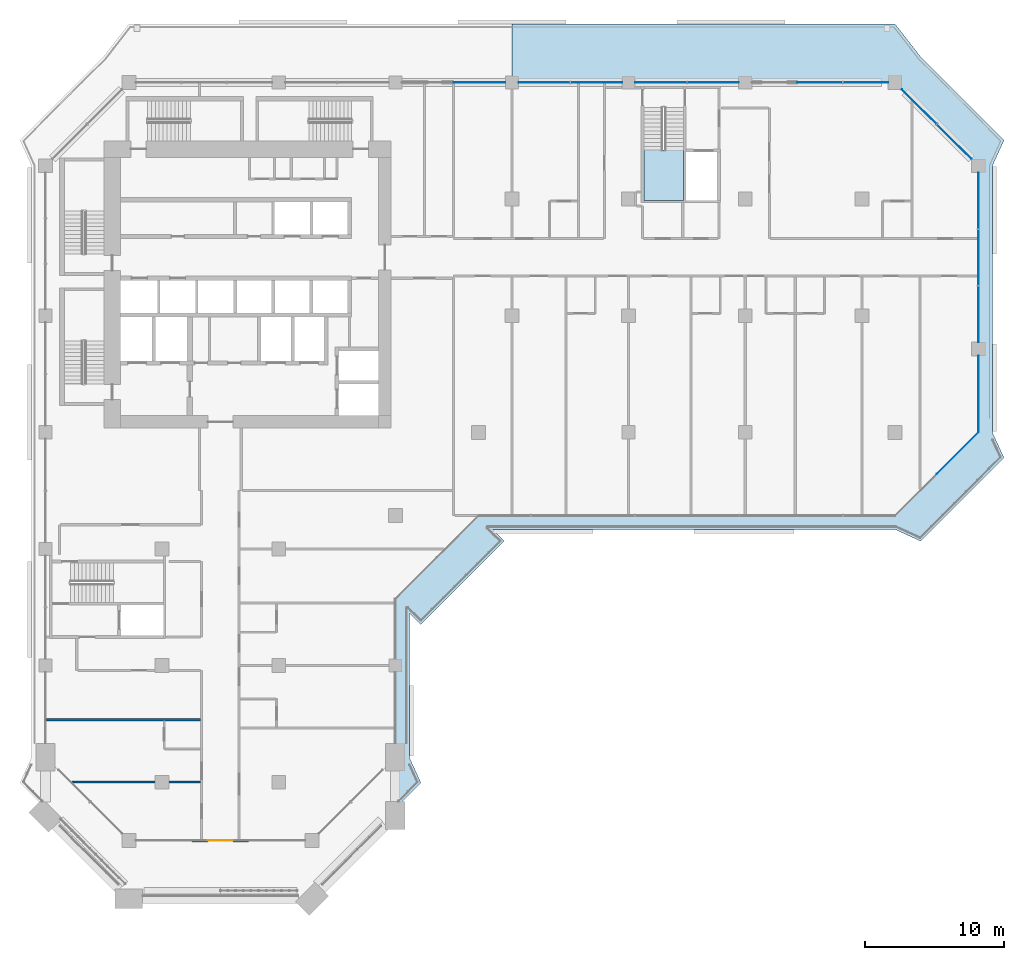
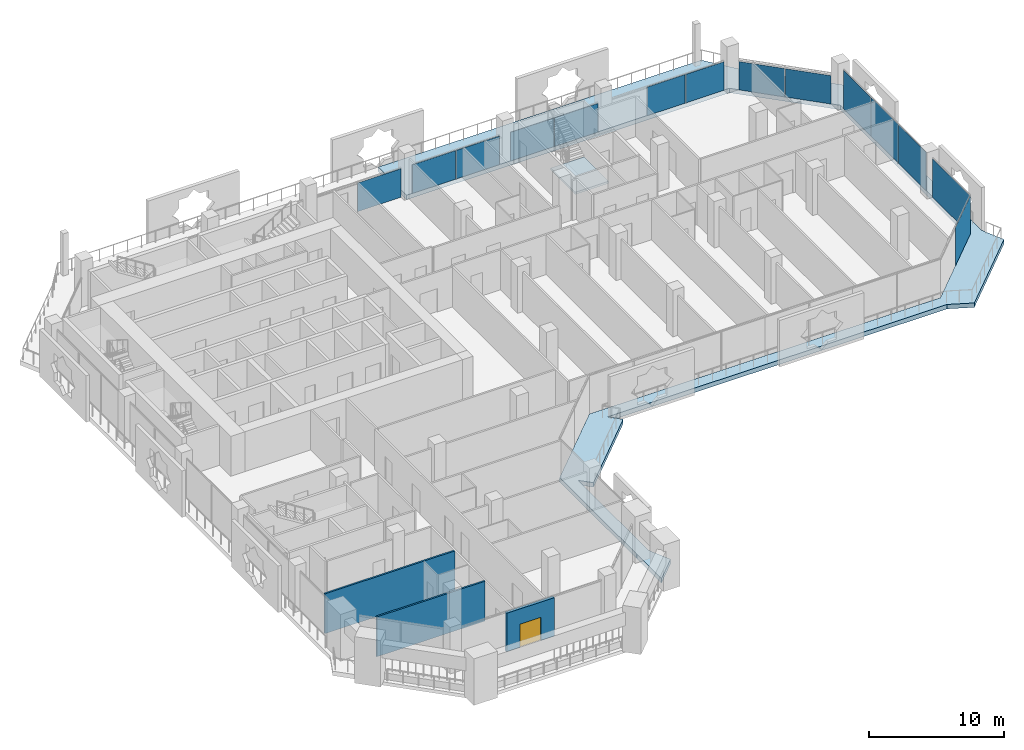
# One storey, part 9 of 22: 14 plates, 3 walls, 2 slabs, 1 door, 1 opening, 5 elements without a shape of their own.
"""IFC4 building model written with IfcOpenShell, lengths in metres."""

import ifcopenshell
import ifcopenshell.guid

model = None  # the IFC model being written
_history = None  # IfcOwnerHistory: only IFC2X3 demands one
_inside = {}  # id of a spatial element -> (the spatial element, [elements in it])
_under = {}  # id of a project, library or spatial element -> (it, [spatial elements below it])
_declared = {}  # id of a project -> (the project, [libraries it declares])
_typed = {}  # id of a type object -> (the type object, [elements of that type])
_made_of = {}  # id of a material, layer set ... -> (it, [elements and type objects made of it])


def new_model(schema):
    """Start an empty IFC model of exactly this schema.

    Asked for "IFC4X3", IfcOpenShell would pick the latest addendum, in which some entities
    have other attributes; the version numbers below select the first issue.
    IFC2X3 requires an IfcOwnerHistory on every rooted entity: one is made here for all.
    """
    global model, _history
    if schema == "IFC4X3":
        model = ifcopenshell.file(schema_version=(4, 3, 0, 0))
    else:
        model = ifcopenshell.file(schema=schema)
    _inside.clear()
    _under.clear()
    _declared.clear()
    _typed.clear()
    _made_of.clear()
    _history = None
    if model.schema == "IFC2X3":
        org = make("IfcOrganization", Name="unknown")
        user = make(
            "IfcPersonAndOrganization",
            ThePerson=make("IfcPerson", FamilyName="unknown"),
            TheOrganization=org,
        )
        app = make(
            "IfcApplication",
            ApplicationDeveloper=org,
            Version="unknown",
            ApplicationFullName="unknown",
            ApplicationIdentifier="unknown",
        )
        _history = make(
            "IfcOwnerHistory",
            OwningUser=user,
            OwningApplication=app,
            ChangeAction="ADDED",
            CreationDate=0,
        )
    return model


def make(cls, **values):
    """One entity of the class cls with the attributes given. An attribute that is None is left unset."""
    return model.create_entity(
        cls, **{name: value for name, value in values.items() if value is not None}
    )


def rooted(cls, **values):
    """An entity with a GlobalId (a new one), such as an element, a storey or a relation."""
    return make(cls, GlobalId=ifcopenshell.guid.new(), OwnerHistory=_history, **values)


def si_unit(unit_type, name, prefix=None):
    """IfcSIUnit, for example si_unit("LENGTHUNIT", "METRE", prefix="MILLI")."""
    return make("IfcSIUnit", UnitType=unit_type, Prefix=prefix, Name=name)


def assignment(units):
    """IfcUnitAssignment: the units of a project."""
    return None if units is None else make("IfcUnitAssignment", Units=units)


def point(xyz):
    """IfcCartesianPoint."""
    return None if xyz is None else make("IfcCartesianPoint", Coordinates=xyz)


def direction(xyz):
    """IfcDirection."""
    return None if xyz is None else make("IfcDirection", DirectionRatios=xyz)


def frame(location, z_axis=None, x_axis=None):
    """IfcAxis2Placement3D, a coordinate frame: its origin and axes. An axis left out is left unset."""
    return make(
        "IfcAxis2Placement3D",
        Location=point(location),
        Axis=direction(z_axis),
        RefDirection=direction(x_axis),
    )


def frame_2d(location, x_axis=None):
    """IfcAxis2Placement2D, a coordinate frame in the plane: its origin and x axis."""
    return make(
        "IfcAxis2Placement2D", Location=point(location), RefDirection=direction(x_axis)
    )


def origin():
    """The frame at (0, 0, 0) with its axes left unset."""
    return frame((0.0, 0.0, 0.0))


def origin_2d():
    """The frame at (0, 0) in the plane with its x axis left unset."""
    return frame_2d((0.0, 0.0))


def place(relative_to, where):
    """IfcLocalPlacement: puts the frame where relative to a parent placement (None: the world)."""
    return make(
        "IfcLocalPlacement", PlacementRelTo=relative_to, RelativePlacement=where
    )


def context(
    kind, dimensions, precision=None, world=None, true_north=None, identifier=None
):
    """IfcGeometricRepresentationContext, for example the 3D "Model" context."""
    return make(
        "IfcGeometricRepresentationContext",
        ContextIdentifier=identifier,
        ContextType=kind,
        CoordinateSpaceDimension=dimensions,
        Precision=precision,
        WorldCoordinateSystem=world,
        TrueNorth=true_north,
    )


def subcontext(parent, identifier, kind, view, scale=None):
    """IfcGeometricRepresentationSubContext, for example "Body" below "Model"."""
    return make(
        "IfcGeometricRepresentationSubContext",
        ContextIdentifier=identifier,
        ContextType=kind,
        ParentContext=parent,
        TargetScale=scale,
        TargetView=view,
    )


def project(units=None, contexts=None):
    """IfcProject with its units and contexts."""
    return rooted(
        "IfcProject",
        Name="project",
        RepresentationContexts=contexts,
        UnitsInContext=assignment(units),
    )


def spatial(cls, under=None, at=None, **own):
    """A site, building, storey or space (cls), placed at a placement, below another one or the project."""
    s = rooted(cls, ObjectPlacement=at, **own)
    if under is not None:
        _under.setdefault(under.id(), (under, []))[1].append(s)
    return s


def polyline(points):
    """IfcPolyline through the points."""
    return make("IfcPolyline", Points=[point(p) for p in points])


def profile(cls, at=None, kind="AREA", **sizes):
    """A parametric profile (cls). Its sizes go by their IFC names, for example OverallWidth=200.0."""
    return make(cls, ProfileType=kind, Position=at, **sizes)


def rectangle(**sizes):
    """IfcRectangleProfileDef."""
    return profile("IfcRectangleProfileDef", **sizes)


def outline(outer, holes=None, kind="AREA"):
    """IfcArbitraryClosedProfileDef: a profile drawn as a closed curve; with holes, ...WithVoids."""
    if holes is None:
        return make("IfcArbitraryClosedProfileDef", ProfileType=kind, OuterCurve=outer)
    return make(
        "IfcArbitraryProfileDefWithVoids",
        ProfileType=kind,
        OuterCurve=outer,
        InnerCurves=holes,
    )


def extrude(swept, where, along, depth):
    """IfcExtrudedAreaSolid: the profile swept, set in the frame where, extruded along a direction by depth."""
    return make(
        "IfcExtrudedAreaSolid",
        SweptArea=swept,
        Position=where,
        ExtrudedDirection=direction(along),
        Depth=depth,
    )


def shape(context_of_items, identifier, shape_type, items):
    """IfcShapeRepresentation: the items that make up one representation, for example the "Body"."""
    return make(
        "IfcShapeRepresentation",
        ContextOfItems=context_of_items,
        RepresentationIdentifier=identifier,
        RepresentationType=shape_type,
        Items=items,
    )


def material(Name=None, Category=None):
    """IfcMaterial."""
    return make("IfcMaterial", Name=Name, Category=Category)


def layer(
    of_material, thickness, ventilated=None, Name=None, Category=None, Priority=None
):
    """IfcMaterialLayer: one layer of a wall or slab, of a material (None: an air gap)."""
    return make(
        "IfcMaterialLayer",
        Material=of_material,
        LayerThickness=thickness,
        IsVentilated=ventilated,
        Name=Name,
        Category=Category,
        Priority=Priority,
    )


def layer_set(layers, Name=None):
    """IfcMaterialLayerSet."""
    return make("IfcMaterialLayerSet", MaterialLayers=layers, LayerSetName=Name)


def made_of(thing, what):
    """Note that an element or type object is made of a material, layer set ...; save() writes the relation."""
    if what is not None:
        _made_of.setdefault(what.id(), (what, []))[1].append(thing)
    return thing


def type_object(cls, material=None, **own):
    """A type object (cls), such as IfcWallType, which elements share."""
    return made_of(rooted(cls, **own), material)


def element(
    cls,
    number,
    at=None,
    inside=None,
    cuts=None,
    type_object=None,
    material=None,
    context=None,
    identifier="Body",
    shape_type=None,
    held_by="IfcProductDefinitionShape",
    body=None,
    shapes=None,
    **own,
):
    """One element of the class cls, such as IfcWall. Its Tag is "e" and its number.

    at: its placement. inside: the storey or other place that contains it. cuts: it is an
    opening in that element (IfcRelVoidsElement). A single representation is given by context,
    identifier, shape_type and body (its items); several are given by shapes. held_by: the class
    of the entity that holds the representations. save() writes the other relations.
    """
    e = rooted(cls, Tag="e%d" % number, ObjectPlacement=at, **own)
    if body is not None:
        shapes = [shape(context, identifier, shape_type, body)]
    if shapes is not None:
        e.Representation = make(held_by, Representations=shapes)
    if inside is not None:
        _inside.setdefault(inside.id(), (inside, []))[1].append(e)
    if cuts is not None:
        rooted(
            "IfcRelVoidsElement", RelatingBuildingElement=cuts, RelatedOpeningElement=e
        )
    if type_object is not None:
        _typed.setdefault(type_object.id(), (type_object, []))[1].append(e)
    return made_of(e, material)


def fill(opening, filler):
    """IfcRelFillsElement: the door or window that sits in an opening."""
    return rooted(
        "IfcRelFillsElement",
        RelatingOpeningElement=opening,
        RelatedBuildingElement=filler,
    )


def aggregate(whole, parts):
    """IfcRelAggregates: a whole, such as a stair, and the parts it consists of."""
    return rooted("IfcRelAggregates", RelatingObject=whole, RelatedObjects=parts)


def save(model, path):
    """Write the relations noted so far, then the file.

    IfcRelAggregates (storeys below a building ...), IfcRelContainedInSpatialStructure (elements
    in a storey), IfcRelDefinesByType, IfcRelAssociatesMaterial and IfcRelDeclares: one each for
    every whole, place, type object, material and project.
    """
    for whole, parts in _under.values():
        aggregate(whole, parts)
    for where, things in _inside.values():
        rooted(
            "IfcRelContainedInSpatialStructure",
            RelatedElements=things,
            RelatingStructure=where,
        )
    for kind, things in _typed.values():
        rooted("IfcRelDefinesByType", RelatedObjects=things, RelatingType=kind)
    for what, things in _made_of.values():
        rooted("IfcRelAssociatesMaterial", RelatedObjects=things, RelatingMaterial=what)
    for by, libraries in _declared.values():
        rooted("IfcRelDeclares", RelatingContext=by, RelatedDefinitions=libraries)
    model.write(path)


model = new_model("IFC4")

# Units and contexts
model_context = context("Model", 3, precision=1e-05, world=origin(), true_north=direction((0.0, 1.0)))
body_context = subcontext(model_context, "Body", "Model", "MODEL_VIEW")
ifc_project = project(units=[si_unit("LENGTHUNIT", "METRE"), si_unit("AREAUNIT", "SQUARE_METRE"), si_unit("VOLUMEUNIT", "CUBIC_METRE"), si_unit("PLANEANGLEUNIT", "RADIAN"), si_unit("MASSUNIT", "GRAM", prefix="KILO")], contexts=[model_context])

# Site, building, storey
site_placement = place(None, origin())
site = spatial("IfcSite", under=ifc_project, at=site_placement, CompositionType="ELEMENT")
building_placement = place(site_placement, origin())
building = spatial("IfcBuilding", under=site, at=building_placement, Name="Kawkab Arch Medical Tower", CompositionType="ELEMENT")
storey_placement = place(building_placement, frame((0.0, 0.0, 171.0)))
storey = spatial("IfcBuildingStorey", under=building, at=storey_placement, Name="L39", CompositionType="ELEMENT", Elevation=171.0)

# Curtain wall, plates
ifc_material_1 = material(Name="Bronze anodised aluminium curtain wall frame", Category="aluminium")
ifc_layer_1 = layer(ifc_material_1, 0.159912109375)
ifc_layer_set_1 = layer_set([ifc_layer_1], Name="Bronze anodised aluminium curtain wall frame")
curtain_wall_type_1 = type_object("IfcCurtainWallType", Name="CW1 ward curtain wall", PredefinedType="NOTDEFINED", material=ifc_layer_set_1)
placement = place(storey_placement, origin())
curtain_wall_1 = element("IfcCurtainWall", 1, at=placement, inside=storey, type_object=curtain_wall_type_1, Name="CW1 Ward curtain wall R09", PredefinedType="NOTDEFINED")
ifc_material_2 = material(Name="Tinted insulating glass, bronze low-e coating", Category="glass")
ifc_layer_2 = layer(ifc_material_2, 0.031982421875)
ifc_layer_set_2 = layer_set([ifc_layer_2], Name="Tinted insulating glass, bronze low-e coating")
plate_type_1 = type_object("IfcPlateType", Name="CW1 glazing unit 32", PredefinedType="CURTAIN_PANEL", material=ifc_layer_set_2)
plate_1_placement = place(storey_placement, frame((67.199951171875, -22.449951171875, 0.0), z_axis=(0.0, 0.0, 1.0), x_axis=(0.0, 1.0, 0.0)))
plate_1 = element("IfcPlate", 2, at=plate_1_placement, type_object=plate_type_1, Name="CW1 glazing unit 1.1", PredefinedType="CURTAIN_PANEL", context=body_context, shape_type="SweptSolid", body=[
    extrude(rectangle(XDim=5.5, YDim=0.031982421875, at=origin_2d()), origin(), (0.0, 0.0, 1.0), 3.47998046875),
])
plate_2_placement = place(storey_placement, frame((67.199951171875, -16.681640625, 0.0), z_axis=(0.0, 0.0, 1.0), x_axis=(0.0, 1.0, 0.0)))
plate_2 = element("IfcPlate", 3, at=plate_2_placement, type_object=plate_type_1, Name="CW1 glazing unit 2.1", PredefinedType="CURTAIN_PANEL", context=body_context, shape_type="SweptSolid", body=[
    extrude(rectangle(XDim=4.03662109375, YDim=0.031982421875, at=origin_2d()), origin(), (0.0, 0.0, 1.0), 3.47998046875),
])
plate_3_placement = place(storey_placement, frame((67.199951171875, -12.60009765625, 0.0), z_axis=(0.0, 0.0, 1.0), x_axis=(0.0, 1.0, 0.0)))
plate_3 = element("IfcPlate", 4, at=plate_3_placement, type_object=plate_type_1, Name="CW1 glazing unit 2.2", PredefinedType="CURTAIN_PANEL", context=body_context, shape_type="SweptSolid", body=[
    extrude(rectangle(XDim=4.006591796875, YDim=0.031982421875, at=origin_2d()), origin(), (0.0, 0.0, 1.0), 3.47998046875),
])
plate_4_placement = place(storey_placement, frame((67.199951171875, -8.518310546875, 0.0), z_axis=(0.0, 0.0, 1.0), x_axis=(0.0, 1.0, 0.0)))
plate_4 = element("IfcPlate", 5, at=plate_4_placement, type_object=plate_type_1, Name="CW1 glazing unit 2.3", PredefinedType="CURTAIN_PANEL", context=body_context, shape_type="SweptSolid", body=[
    extrude(rectangle(XDim=4.03662109375, YDim=0.031982421875, at=origin_2d()), origin(), (0.0, 0.0, 1.0), 3.47998046875),
])
aggregate(curtain_wall_1, [plate_1, plate_2, plate_3, plate_4])

curtain_wall_2 = element("IfcCurtainWall", 6, at=placement, inside=storey, type_object=curtain_wall_type_1, Name="CW1 Ward curtain wall R11", PredefinedType="NOTDEFINED")
plate_5_placement = place(storey_placement, frame((59.077392578125, 0.0, 0.0), z_axis=(0.0, 0.0, 1.0), x_axis=(-1.0, 0.0, 0.0)))
plate_5 = element("IfcPlate", 7, at=plate_5_placement, type_object=plate_type_1, Name="CW1 glazing unit 1.1", PredefinedType="CURTAIN_PANEL", context=body_context, shape_type="SweptSolid", body=[
    extrude(rectangle(XDim=3.2451171875, YDim=0.031982421875, at=origin_2d()), origin(), (0.0, 0.0, 1.0), 2.580078125),
])
plate_6_placement = place(storey_placement, frame((55.7724609375, 0.0, 0.0), z_axis=(0.0, 0.0, 1.0), x_axis=(-1.0, 0.0, 0.0)))
plate_6 = element("IfcPlate", 8, at=plate_6_placement, type_object=plate_type_1, Name="CW1 glazing unit 1.2", PredefinedType="CURTAIN_PANEL", context=body_context, shape_type="SweptSolid", body=[
    extrude(rectangle(XDim=3.2451171875, YDim=0.031982421875, at=origin_2d()), origin(), (0.0, 0.0, 1.0), 2.580078125),
])
plate_7_placement = place(storey_placement, frame((48.077392578125, 0.0, 0.0), z_axis=(0.0, 0.0, 1.0), x_axis=(-1.0, 0.0, 0.0)))
plate_7 = element("IfcPlate", 9, at=plate_7_placement, type_object=plate_type_1, Name="CW1 glazing unit 2.1", PredefinedType="CURTAIN_PANEL", context=body_context, shape_type="SweptSolid", body=[
    extrude(rectangle(XDim=3.695068359375, YDim=0.031982421875, at=origin_2d()), origin(), (0.0, 0.0, 1.0), 2.580078125),
])
plate_8_placement = place(storey_placement, frame((44.322509765625, 0.0, 0.0), z_axis=(0.0, 0.0, 1.0), x_axis=(-1.0, 0.0, 0.0)))
plate_8 = element("IfcPlate", 10, at=plate_8_placement, type_object=plate_type_1, Name="CW1 glazing unit 2.2", PredefinedType="CURTAIN_PANEL", context=body_context, shape_type="SweptSolid", body=[
    extrude(rectangle(XDim=3.695068359375, YDim=0.031982421875, at=origin_2d()), origin(), (0.0, 0.0, 1.0), 2.580078125),
])
plate_9_placement = place(storey_placement, frame((39.677490234375, 0.0, 0.0), z_axis=(0.0, 0.0, 1.0), x_axis=(-1.0, 0.0, 0.0)))
plate_9 = element("IfcPlate", 11, at=plate_9_placement, type_object=plate_type_1, Name="CW1 glazing unit 3.1", PredefinedType="CURTAIN_PANEL", context=body_context, shape_type="SweptSolid", body=[
    extrude(rectangle(XDim=3.695068359375, YDim=0.031982421875, at=origin_2d()), origin(), (0.0, 0.0, 1.0), 2.580078125),
])
plate_10_placement = place(storey_placement, frame((35.922607421875, 0.0, 0.0), z_axis=(0.0, 0.0, 1.0), x_axis=(-1.0, 0.0, 0.0)))
plate_10 = element("IfcPlate", 12, at=plate_10_placement, type_object=plate_type_1, Name="CW1 glazing unit 3.2", PredefinedType="CURTAIN_PANEL", context=body_context, shape_type="SweptSolid", body=[
    extrude(rectangle(XDim=3.695068359375, YDim=0.031982421875, at=origin_2d()), origin(), (0.0, 0.0, 1.0), 2.580078125),
])
plate_11_placement = place(storey_placement, frame((31.262451171875, 0.0, 0.0), z_axis=(0.0, 0.0, 1.0), x_axis=(-1.0, 0.0, 0.0)))
plate_11 = element("IfcPlate", 13, at=plate_11_placement, type_object=plate_type_1, Name="CW1 glazing unit 4.1", PredefinedType="CURTAIN_PANEL", context=body_context, shape_type="SweptSolid", body=[
    extrude(rectangle(XDim=3.72509765625, YDim=0.031982421875, at=origin_2d()), origin(), (0.0, 0.0, 1.0), 2.580078125),
])
aggregate(curtain_wall_2, [plate_5, plate_6, plate_7, plate_8, plate_9, plate_10, plate_11])

# Curtain wall, plate
ifc_material_3 = material(Name="Bronze anodised aluminium curtain wall frame", Category="aluminium")
ifc_layer_3 = layer(ifc_material_3, 0.159912109375)
ifc_layer_set_3 = layer_set([ifc_layer_3], Name="Bronze anodised aluminium curtain wall frame")
curtain_wall_type_2 = type_object("IfcCurtainWallType", Name="CW2 chamfer curtain wall", PredefinedType="NOTDEFINED", material=ifc_layer_set_3)
curtain_wall_3 = element("IfcCurtainWall", 14, at=placement, inside=storey, type_object=curtain_wall_type_2, Name="CW2 Chamfer curtain wall R08", PredefinedType="NOTDEFINED")
ifc_material_4 = material(Name="Tinted insulating glass, bronze low-e coating", Category="glass")
ifc_layer_4 = layer(ifc_material_4, 0.031982421875)
ifc_layer_set_4 = layer_set([ifc_layer_4], Name="Tinted insulating glass, bronze low-e coating")
plate_type_2 = type_object("IfcPlateType", Name="CW2 glazing unit 32", PredefinedType="CURTAIN_PANEL", material=ifc_layer_set_4)
plate_12_placement = place(storey_placement, frame((65.699951171875, -26.699951171875, 0.0), z_axis=(0.0, 0.0, 1.0), x_axis=(0.707106781187, 0.707106781187, 0.0)))
plate_12 = element("IfcPlate", 15, at=plate_12_placement, type_object=plate_type_2, Name="CW2 glazing unit 2.1", PredefinedType="CURTAIN_PANEL", context=body_context, shape_type="SweptSolid", body=[
    extrude(rectangle(XDim=4.24267578125, YDim=0.031982421875, at=origin_2d()), origin(), (0.0, 0.0, 1.0), 3.4599609375),
])
aggregate(curtain_wall_3, [plate_12])

# Curtain wall, plates
curtain_wall_4 = element("IfcCurtainWall", 16, at=placement, inside=storey, type_object=curtain_wall_type_2, Name="CW2 Chamfer curtain wall R10", PredefinedType="NOTDEFINED")
plate_13_placement = place(storey_placement, frame((65.460693359375, -4.260498046875, 0.0), z_axis=(0.0, 0.0, 1.0), x_axis=(-0.707106781187, 0.707106781187, 0.0)))
plate_13 = element("IfcPlate", 17, at=plate_13_placement, type_object=plate_type_2, Name="CW2 glazing unit 1.1", PredefinedType="CURTAIN_PANEL", context=body_context, shape_type="SweptSolid", body=[
    extrude(rectangle(XDim=3.505615234375, YDim=0.031982421875, at=origin_2d()), origin(), (0.0, 0.0, 1.0), 2.56005859375),
])
plate_14_placement = place(storey_placement, frame((62.939453125, -1.739501953125, 0.0), z_axis=(0.0, 0.0, 1.0), x_axis=(-0.707106781187, 0.707106781187, 0.0)))
plate_14 = element("IfcPlate", 18, at=plate_14_placement, type_object=plate_type_2, Name="CW2 glazing unit 1.2", PredefinedType="CURTAIN_PANEL", context=body_context, shape_type="SweptSolid", body=[
    extrude(rectangle(XDim=3.505615234375, YDim=0.031982421875, at=origin_2d()), origin(), (0.0, 0.0, 1.0), 2.56005859375),
])
aggregate(curtain_wall_4, [plate_13, plate_14])

# Stair, slab
ifc_material_5 = material(Name="Concrete C40/50", Category="concrete")
stair_type = type_object("IfcStairType", Name="Exit stair 1350", PredefinedType="HALF_TURN_STAIR", material=ifc_material_5)
stair = element("IfcStair", 19, at=placement, inside=storey, type_object=stair_type, Name="L39 Exit stair ST5", PredefinedType="HALF_TURN_STAIR")
ifc_material_6 = material(Name="Concrete C40/50", Category="concrete")
ifc_layer_5 = layer(ifc_material_6, 0.199951171875)
ifc_layer_set_5 = layer_set([ifc_layer_5], Name="Concrete C40/50")
slab_type_1 = type_object("IfcSlabType", Name="Exit stair landing 200", PredefinedType="LANDING", material=ifc_layer_set_5)
slab_1_placement = place(storey_placement, frame((0.0, 0.0, 1.89990234375)))
slab_1 = element("IfcSlab", 20, at=slab_1_placement, type_object=slab_type_1, Name="ST5 landing 1", PredefinedType="LANDING", context=body_context, shape_type="SweptSolid", body=[
    extrude(outline(polyline([(43.10009765625, -4.8798828125), (43.10009765625, -8.5), (45.949951171875, -8.5), (45.949951171875, -4.8798828125), (43.10009765625, -4.8798828125)])), origin(), (0.0, 0.0, 1.0), 0.2001953125),
])
aggregate(stair, [slab_1])

# Slab
ifc_material_7 = material(Name="Concrete C40/50", Category="concrete")
ifc_layer_6 = layer(ifc_material_7, 0.39990234375)
ifc_layer_set_6 = layer_set([ifc_layer_6], Name="Concrete C40/50")
slab_type_2 = type_object("IfcSlabType", Name="Loggia slab 400", PredefinedType="FLOOR", material=ifc_layer_set_6)
slab_2_placement = place(storey_placement, frame((0.0, 0.0, -0.39990234375)))
element("IfcSlab", 21, at=slab_2_placement, inside=storey, type_object=slab_type_2, Name="Loggia slab L39.3", PredefinedType="FLOOR", context=body_context, shape_type="SweptSolid", body=[
    extrude(outline(polyline([(25.18896484375, -48.614013671875), (25.18896484375, -48.613037109375), (25.199951171875, -48.60009765625), (25.199951171875, -37.200927734375), (31.200927734375, -31.199951171875), (61.199951171875, -31.199951171875), (67.200927734375, -25.199951171875), (67.200927734375, -6.0), (61.199951171875, 0.0009765625), (33.60107421875, 0.0009765625), (33.60107421875, 0.001953125), (33.60009765625, 0.001953125), (33.60009765625, 4.198974609375), (33.60107421875, 4.198974609375), (33.60107421875, 4.199951171875), (61.198974609375, 4.199951171875), (61.198974609375, 4.198974609375), (61.200927734375, 4.198974609375), (63.0380859375, 1.837890625), (69.0380859375, -4.1630859375), (68.199951171875, -6.0), (68.199951171875, -25.199951171875), (69.0380859375, -27.037109375), (63.037109375, -33.0380859375), (61.199951171875, -32.199951171875), (32.198974609375, -32.199951171875), (33.035888671875, -33.0380859375), (27.0380859375, -39.035888671875), (26.199951171875, -38.198974609375), (26.199951171875, -48.60009765625), (27.0380859375, -50.43701171875), (25.200927734375, -52.27392578125), (25.200927734375, -48.6201171875), (25.199951171875, -48.6201171875), (25.198974609375, -48.616943359375), (25.197021484375, -48.614990234375), (25.195068359375, -48.614990234375), (25.195068359375, -48.614013671875), (25.18896484375, -48.614013671875)])), origin(), (0.0, 0.0, 1.0), 0.39990234375),
])

# Wall, opening, door
ifc_material_8 = material(Name="Bronze clad insulated wall panel")
ifc_layer_7 = layer(ifc_material_8, 0.25)
ifc_layer_set_7 = layer_set([ifc_layer_7], Name="Bronze clad insulated wall panel")
wall_type_1 = type_object("IfcWallType", Name="External wall bay 250", PredefinedType="SOLIDWALL", material=ifc_layer_set_7)
wall_1_placement = place(storey_placement, frame((10.566650390625, -54.60009765625, 0.0), z_axis=(0.0, 0.0, 1.0), x_axis=(1.0, 0.0, 0.0)))
wall_1 = element("IfcWall", 22, at=wall_1_placement, inside=storey, type_object=wall_type_1, Name="External wall bay L39.R03.1.2", PredefinedType="SOLIDWALL", context=body_context, shape_type="SweptSolid", body=[
    extrude(rectangle(XDim=4.066650390625, YDim=0.25, at=frame_2d((2.033203125, 0.0))), origin(), (0.0, 0.0, 1.0), 3.47998046875),
])
opening_placement = place(wall_1_placement, frame((1.13330078125, 0.0, 0.0)))
opening = element("IfcOpeningElement", 23, at=opening_placement, cuts=wall_1, Name="Opening W39-701", PredefinedType="OPENING", context=body_context, shape_type="SweptSolid", body=[
    extrude(rectangle(XDim=1.800048828125, YDim=2.10009765625, at=frame_2d((0.89990234375, 1.050048828125))), frame((0.0, 0.135009765625, 0.0), z_axis=(0.0, -1.0, 0.0), x_axis=(1.0, 0.0, 0.0)), (0.0, 0.0, 1.0), 0.27001953125),
])
ifc_material_9 = material(Name="Bronze anodised aluminium door with tinted glass", Category="aluminium")
door_type = type_object("IfcDoorType", Name="Double external door 1800 x 2100", OperationType="DOUBLE_DOOR_SINGLE_SWING", PredefinedType="DOOR", material=ifc_material_9)
door_placement = place(opening_placement, origin())
door = element("IfcDoor", 24, at=door_placement, inside=storey, type_object=door_type, Name="External door L39.R03.1.2", OperationType="DOUBLE_DOOR_SINGLE_SWING", OverallHeight=2.10009765625, OverallWidth=1.800048828125, PredefinedType="DOOR", context=body_context, shape_type="SweptSolid", body=[
    extrude(rectangle(XDim=1.800048828125, YDim=2.10009765625, at=frame_2d((0.89990234375, 1.050048828125))), frame((0.0, 0.02490234375, 0.0), z_axis=(0.0, -1.0, 0.0), x_axis=(1.0, 0.0, 0.0)), (0.0, 0.0, 1.0), 0.050048828125),
])
fill(opening, door)

# Walls
ifc_material_10 = material(Name="Gypsum board partition on steel studs, mineral wool", Category="steel")
ifc_layer_8 = layer(ifc_material_10, 0.14990234375)
ifc_layer_set_8 = layer_set([ifc_layer_8], Name="Gypsum board partition on steel studs, mineral wool")
wall_type_2 = type_object("IfcWallType", Name="Partition 150", PredefinedType="PARTITIONING", material=ifc_layer_set_8)
wall_2_placement = place(storey_placement, frame((1.9130859375, -50.39990234375, 0.0), z_axis=(0.0, 0.0, 1.0), x_axis=(1.0, 0.0, 0.0)))
element("IfcWall", 25, at=wall_2_placement, inside=storey, type_object=wall_type_2, Name="Partition 150 w018", PredefinedType="PARTITIONING", context=body_context, shape_type="SweptSolid", body=[
    extrude(rectangle(XDim=9.261962890625, YDim=0.14990234375, at=frame_2d((4.630859375, 0.0))), origin(), (0.0, 0.0, 1.0), 3.60009765625),
])
wall_3_placement = place(storey_placement, frame((0.080078125, -45.89990234375, 0.0), z_axis=(0.0, 0.0, 1.0), x_axis=(1.0, 0.0, 0.0)))
element("IfcWall", 26, at=wall_3_placement, inside=storey, type_object=wall_type_2, Name="Partition 150 w020", PredefinedType="PARTITIONING", context=body_context, shape_type="SweptSolid", body=[
    extrude(rectangle(XDim=11.094970703125, YDim=0.14990234375, at=frame_2d((5.54736328125, 0.0))), origin(), (0.0, 0.0, 1.0), 3.60009765625),
])

save(model, "model.ifc")
